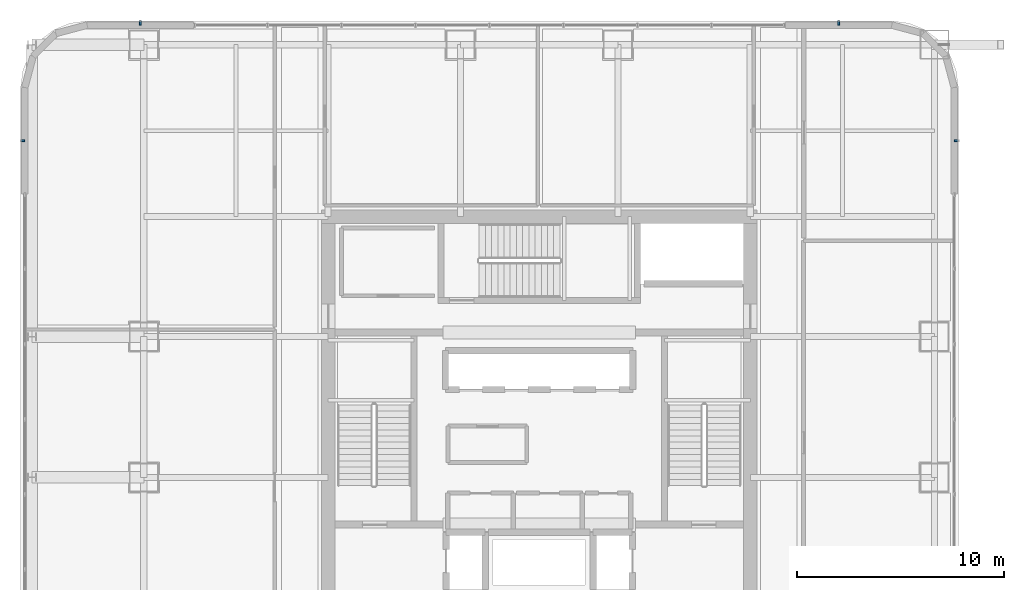
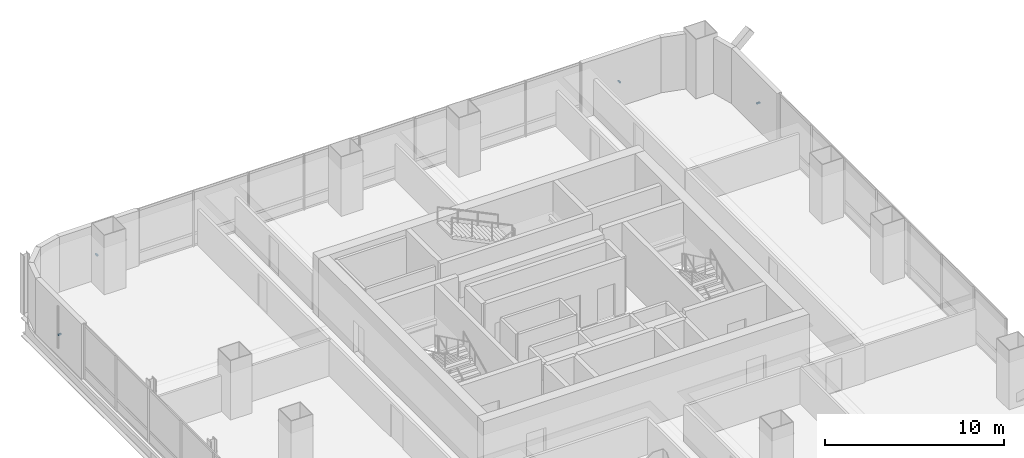
# One storey, part 36 of 46: 4 discrete accessories.
"""IFC4 building model written with IfcOpenShell, lengths in metres."""

import ifcopenshell
import ifcopenshell.guid

model = None  # the IFC model being written
_history = None  # IfcOwnerHistory: only IFC2X3 demands one
_inside = {}  # id of a spatial element -> (the spatial element, [elements in it])
_under = {}  # id of a project, library or spatial element -> (it, [spatial elements below it])
_declared = {}  # id of a project -> (the project, [libraries it declares])
_typed = {}  # id of a type object -> (the type object, [elements of that type])
_made_of = {}  # id of a material, layer set ... -> (it, [elements and type objects made of it])


def new_model(schema):
    """Start an empty IFC model of exactly this schema.

    Asked for "IFC4X3", IfcOpenShell would pick the latest addendum, in which some entities
    have other attributes; the version numbers below select the first issue.
    IFC2X3 requires an IfcOwnerHistory on every rooted entity: one is made here for all.
    """
    global model, _history
    if schema == "IFC4X3":
        model = ifcopenshell.file(schema_version=(4, 3, 0, 0))
    else:
        model = ifcopenshell.file(schema=schema)
    _inside.clear()
    _under.clear()
    _declared.clear()
    _typed.clear()
    _made_of.clear()
    _history = None
    if model.schema == "IFC2X3":
        org = make("IfcOrganization", Name="unknown")
        user = make(
            "IfcPersonAndOrganization",
            ThePerson=make("IfcPerson", FamilyName="unknown"),
            TheOrganization=org,
        )
        app = make(
            "IfcApplication",
            ApplicationDeveloper=org,
            Version="unknown",
            ApplicationFullName="unknown",
            ApplicationIdentifier="unknown",
        )
        _history = make(
            "IfcOwnerHistory",
            OwningUser=user,
            OwningApplication=app,
            ChangeAction="ADDED",
            CreationDate=0,
        )
    return model


def make(cls, **values):
    """One entity of the class cls with the attributes given. An attribute that is None is left unset."""
    return model.create_entity(
        cls, **{name: value for name, value in values.items() if value is not None}
    )


def rooted(cls, **values):
    """An entity with a GlobalId (a new one), such as an element, a storey or a relation."""
    return make(cls, GlobalId=ifcopenshell.guid.new(), OwnerHistory=_history, **values)


def si_unit(unit_type, name, prefix=None):
    """IfcSIUnit, for example si_unit("LENGTHUNIT", "METRE", prefix="MILLI")."""
    return make("IfcSIUnit", UnitType=unit_type, Prefix=prefix, Name=name)


def assignment(units):
    """IfcUnitAssignment: the units of a project."""
    return None if units is None else make("IfcUnitAssignment", Units=units)


def point(xyz):
    """IfcCartesianPoint."""
    return None if xyz is None else make("IfcCartesianPoint", Coordinates=xyz)


def direction(xyz):
    """IfcDirection."""
    return None if xyz is None else make("IfcDirection", DirectionRatios=xyz)


def frame(location, z_axis=None, x_axis=None):
    """IfcAxis2Placement3D, a coordinate frame: its origin and axes. An axis left out is left unset."""
    return make(
        "IfcAxis2Placement3D",
        Location=point(location),
        Axis=direction(z_axis),
        RefDirection=direction(x_axis),
    )


def frame_2d(location, x_axis=None):
    """IfcAxis2Placement2D, a coordinate frame in the plane: its origin and x axis."""
    return make(
        "IfcAxis2Placement2D", Location=point(location), RefDirection=direction(x_axis)
    )


def origin():
    """The frame at (0, 0, 0) with its axes left unset."""
    return frame((0.0, 0.0, 0.0))


def origin_2d():
    """The frame at (0, 0) in the plane with its x axis left unset."""
    return frame_2d((0.0, 0.0))


def place(relative_to, where):
    """IfcLocalPlacement: puts the frame where relative to a parent placement (None: the world)."""
    return make(
        "IfcLocalPlacement", PlacementRelTo=relative_to, RelativePlacement=where
    )


def context(
    kind, dimensions, precision=None, world=None, true_north=None, identifier=None
):
    """IfcGeometricRepresentationContext, for example the 3D "Model" context."""
    return make(
        "IfcGeometricRepresentationContext",
        ContextIdentifier=identifier,
        ContextType=kind,
        CoordinateSpaceDimension=dimensions,
        Precision=precision,
        WorldCoordinateSystem=world,
        TrueNorth=true_north,
    )


def subcontext(parent, identifier, kind, view, scale=None):
    """IfcGeometricRepresentationSubContext, for example "Body" below "Model"."""
    return make(
        "IfcGeometricRepresentationSubContext",
        ContextIdentifier=identifier,
        ContextType=kind,
        ParentContext=parent,
        TargetScale=scale,
        TargetView=view,
    )


def project(units=None, contexts=None):
    """IfcProject with its units and contexts."""
    return rooted(
        "IfcProject",
        Name="project",
        RepresentationContexts=contexts,
        UnitsInContext=assignment(units),
    )


def spatial(cls, under=None, at=None, **own):
    """A site, building, storey or space (cls), placed at a placement, below another one or the project."""
    s = rooted(cls, ObjectPlacement=at, **own)
    if under is not None:
        _under.setdefault(under.id(), (under, []))[1].append(s)
    return s


def profile(cls, at=None, kind="AREA", **sizes):
    """A parametric profile (cls). Its sizes go by their IFC names, for example OverallWidth=200.0."""
    return make(cls, ProfileType=kind, Position=at, **sizes)


def rectangle(**sizes):
    """IfcRectangleProfileDef."""
    return profile("IfcRectangleProfileDef", **sizes)


def extrude(swept, where, along, depth):
    """IfcExtrudedAreaSolid: the profile swept, set in the frame where, extruded along a direction by depth."""
    return make(
        "IfcExtrudedAreaSolid",
        SweptArea=swept,
        Position=where,
        ExtrudedDirection=direction(along),
        Depth=depth,
    )


def shape(context_of_items, identifier, shape_type, items):
    """IfcShapeRepresentation: the items that make up one representation, for example the "Body"."""
    return make(
        "IfcShapeRepresentation",
        ContextOfItems=context_of_items,
        RepresentationIdentifier=identifier,
        RepresentationType=shape_type,
        Items=items,
    )


def material(Name=None, Category=None):
    """IfcMaterial."""
    return make("IfcMaterial", Name=Name, Category=Category)


def made_of(thing, what):
    """Note that an element or type object is made of a material, layer set ...; save() writes the relation."""
    if what is not None:
        _made_of.setdefault(what.id(), (what, []))[1].append(thing)
    return thing


def type_object(cls, material=None, **own):
    """A type object (cls), such as IfcWallType, which elements share."""
    return made_of(rooted(cls, **own), material)


def element(
    cls,
    number,
    at=None,
    inside=None,
    cuts=None,
    type_object=None,
    material=None,
    context=None,
    identifier="Body",
    shape_type=None,
    held_by="IfcProductDefinitionShape",
    body=None,
    shapes=None,
    **own,
):
    """One element of the class cls, such as IfcWall. Its Tag is "e" and its number.

    at: its placement. inside: the storey or other place that contains it. cuts: it is an
    opening in that element (IfcRelVoidsElement). A single representation is given by context,
    identifier, shape_type and body (its items); several are given by shapes. held_by: the class
    of the entity that holds the representations. save() writes the other relations.
    """
    e = rooted(cls, Tag="e%d" % number, ObjectPlacement=at, **own)
    if body is not None:
        shapes = [shape(context, identifier, shape_type, body)]
    if shapes is not None:
        e.Representation = make(held_by, Representations=shapes)
    if inside is not None:
        _inside.setdefault(inside.id(), (inside, []))[1].append(e)
    if cuts is not None:
        rooted(
            "IfcRelVoidsElement", RelatingBuildingElement=cuts, RelatedOpeningElement=e
        )
    if type_object is not None:
        _typed.setdefault(type_object.id(), (type_object, []))[1].append(e)
    return made_of(e, material)


def aggregate(whole, parts):
    """IfcRelAggregates: a whole, such as a stair, and the parts it consists of."""
    return rooted("IfcRelAggregates", RelatingObject=whole, RelatedObjects=parts)


def save(model, path):
    """Write the relations noted so far, then the file.

    IfcRelAggregates (storeys below a building ...), IfcRelContainedInSpatialStructure (elements
    in a storey), IfcRelDefinesByType, IfcRelAssociatesMaterial and IfcRelDeclares: one each for
    every whole, place, type object, material and project.
    """
    for whole, parts in _under.values():
        aggregate(whole, parts)
    for where, things in _inside.values():
        rooted(
            "IfcRelContainedInSpatialStructure",
            RelatedElements=things,
            RelatingStructure=where,
        )
    for kind, things in _typed.values():
        rooted("IfcRelDefinesByType", RelatedObjects=things, RelatingType=kind)
    for what, things in _made_of.values():
        rooted("IfcRelAssociatesMaterial", RelatedObjects=things, RelatingMaterial=what)
    for by, libraries in _declared.values():
        rooted("IfcRelDeclares", RelatingContext=by, RelatedDefinitions=libraries)
    model.write(path)


model = new_model("IFC4")

# Units and contexts
model_context = context("Model", 3, precision=1e-05, world=origin(), true_north=direction((0.0, 1.0)))
body_context = subcontext(model_context, "Body", "Model", "MODEL_VIEW")
ifc_project = project(units=[si_unit("LENGTHUNIT", "METRE"), si_unit("AREAUNIT", "SQUARE_METRE"), si_unit("VOLUMEUNIT", "CUBIC_METRE"), si_unit("PLANEANGLEUNIT", "RADIAN"), si_unit("MASSUNIT", "GRAM", prefix="KILO")], contexts=[model_context])

# Site, building, storey
site_placement = place(None, origin())
site = spatial("IfcSite", under=ifc_project, at=site_placement, CompositionType="ELEMENT")
building_placement = place(site_placement, origin())
building = spatial("IfcBuilding", under=site, at=building_placement, Name="Punatoya Terracotta Tower", CompositionType="ELEMENT")
storey_placement = place(building_placement, frame((0.0, 0.0, 200.550048828125)))
storey = spatial("IfcBuildingStorey", under=building, at=storey_placement, Name="L47", CompositionType="ELEMENT", Elevation=200.550048828125)

# Discrete accessories
ifc_material = material(Name="Steel S355", Category="steel")
discrete_accessory_type = type_object("IfcDiscreteAccessoryType", Name="ACC-BRK-220", PredefinedType="BRACKET", material=ifc_material)
for number, where, z_axis, x_axis, name in (
    (1, (20.14990234375, 12.868408203125, 1.449951171875), (0.0, 0.0, 1.0), (0.0, 1.0, 0.0), "L47 Jali Fin Support Bracket E2"),
    (2, (14.468505859375, 18.550048828125, 1.449951171875), (0.0, 0.0, 1.0), (-1.0, 0.0, 0.0), "L47 Jali Fin Support Bracket N1"),
    (3, (-19.2685546875, 18.550048828125, 1.449951171875), (0.0, 0.0, 1.0), (-1.0, 0.0, 0.0), "L47 Jali Fin Support Bracket N2"),
    (4, (-24.949951171875, 12.868408203125, 1.449951171875), (0.0, 0.0, 1.0), (0.0, -1.0, 0.0), "L47 Jali Fin Support Bracket W1"),
):
    element("IfcDiscreteAccessory", number, at=place(storey_placement, frame(where, z_axis=z_axis, x_axis=x_axis)), inside=storey, type_object=discrete_accessory_type, Name=name, PredefinedType="BRACKET", context=body_context, shape_type="SweptSolid", body=[
        extrude(rectangle(XDim=0.090087890625, YDim=0.219970703125, at=origin_2d()), origin(), (0.0, 0.0, 1.0), 0.10009765625),
    ])

save(model, "model.ifc")
